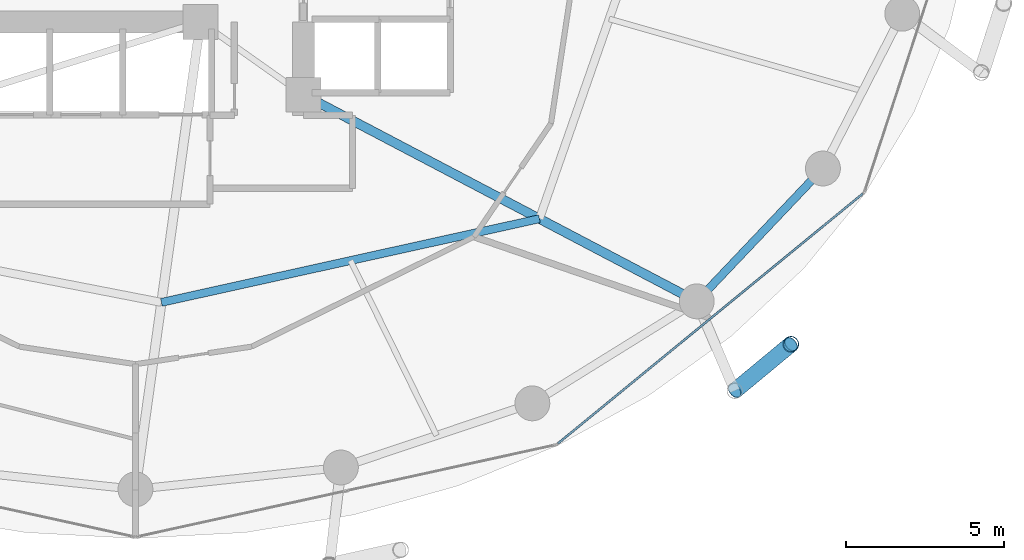
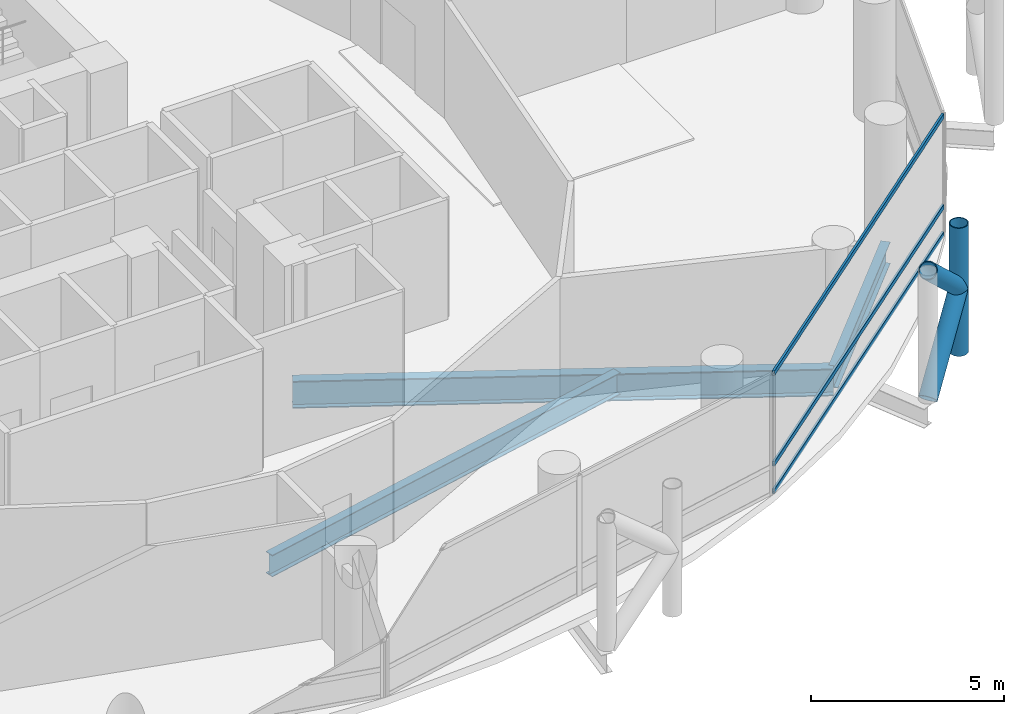
# One storey, part 9 of 24: 6 members, 3 beams, 1 element without a shape of its own.
"""IFC4 building model written with IfcOpenShell, lengths in metres."""

from ifc_helpers import new_model, si_unit, direction, frame, origin, origin_2d, place, context, subcontext, project, spatial, hollow_rectangle, hollow_circle, i_section, extrude, material, layer, layer_set, material_profile, profile_set, type_object, element, aggregate, save


model = new_model("IFC4")

# Units and contexts
model_context = context("Model", 3, precision=1e-05, world=origin(), true_north=direction((0.0, 1.0)))
body_context = subcontext(model_context, "Body", "Model", "MODEL_VIEW")
ifc_project = project(units=[si_unit("LENGTHUNIT", "METRE"), si_unit("AREAUNIT", "SQUARE_METRE"), si_unit("VOLUMEUNIT", "CUBIC_METRE"), si_unit("PLANEANGLEUNIT", "RADIAN"), si_unit("MASSUNIT", "GRAM", prefix="KILO")], contexts=[model_context])

# Site, building, storey
site_placement = place(None, origin())
site = spatial("IfcSite", under=ifc_project, at=site_placement, CompositionType="ELEMENT")
building_placement = place(site_placement, origin())
building = spatial("IfcBuilding", under=site, at=building_placement, Name="Nuhasar Tower", CompositionType="ELEMENT")
storey_placement = place(building_placement, frame((0.0, 0.0, 69.60009765625)))
storey = spatial("IfcBuildingStorey", under=building, at=storey_placement, Name="L16", CompositionType="ELEMENT", Elevation=69.60009765625)

# Beams
ifc_material_1 = material(Name="Steel S355", Category="steel")
ifc_material_profile_1 = material_profile(ifc_material_1, i_section(OverallWidth=0.25390625, OverallDepth=0.68408203125, WebThickness=0.012451171875, FlangeThickness=0.018798828125, at=origin_2d()), Name="W27X94")
ifc_profile_set_1 = profile_set([ifc_material_profile_1], Name="Steel S355")
beam_type_1 = type_object("IfcBeamType", Name="BM-INRING-W27X94", PredefinedType="BEAM", material=ifc_profile_set_1)
beam_1_placement = place(storey_placement, frame((39.820068359375, 12.449951171875, -0.592041015625), z_axis=(0.976386023343, 0.216033176665, 0.0), x_axis=(-0.216033176665, 0.976386023343, 0.0)))
element("IfcBeam", 1, at=beam_1_placement, inside=storey, type_object=beam_type_1, Name="L16 Inner Header Beam 02", PredefinedType="BEAM", context=body_context, shape_type="SweptSolid", body=[
    extrude(i_section(OverallWidth=0.25390625, OverallDepth=0.68408203125, WebThickness=0.012451171875, FlangeThickness=0.018798828125, at=origin_2d()), origin(), (0.0, 0.0, 1.0), 12.216552734375),
])
ifc_material_profile_2 = material_profile(ifc_material_1, i_section(OverallWidth=0.2919921875, OverallDepth=0.85888671875, WebThickness=0.01708984375, FlangeThickness=0.031005859375, at=origin_2d()), Name="W33X169")
ifc_profile_set_2 = profile_set([ifc_material_profile_2], Name="Steel S355")
beam_type_2 = type_object("IfcBeamType", Name="BM-POD-W33X169", PredefinedType="BEAM", material=ifc_profile_set_2)
beam_2_placement = place(storey_placement, frame((44.300048828125, 19.0, -0.68017578125), z_axis=(0.885330348705, -0.464962550816, 0.0), x_axis=(0.464962550816, 0.885330348705, 0.0)))
element("IfcBeam", 2, at=beam_2_placement, inside=storey, type_object=beam_type_2, Name="L16 Radial Floor Girder 03", PredefinedType="BEAM", context=body_context, shape_type="SweptSolid", body=[
    extrude(i_section(OverallWidth=0.2919921875, OverallDepth=0.85888671875, WebThickness=0.01708984375, FlangeThickness=0.031005859375, at=origin_2d()), origin(), (0.0, 0.0, 1.0), 14.0205078125),
])
ifc_material_profile_3 = material_profile(ifc_material_1, i_section(OverallWidth=0.256103515625, OverallDepth=0.693115234375, WebThickness=0.014404296875, FlangeThickness=0.023681640625, at=origin_2d()), Name="W27X114")
ifc_profile_set_3 = profile_set([ifc_material_profile_3], Name="Steel S355")
beam_type_3 = type_object("IfcBeamType", Name="BM-RING-W27X114", PredefinedType="SPANDREL", material=ifc_profile_set_3)
beam_3_placement = place(storey_placement, frame((56.712890625, 12.48095703125, -0.59716796875), z_axis=(0.688459812429, 0.725274490569, 0.0), x_axis=(-0.725274490569, 0.688459812429, 0.0)))
element("IfcBeam", 3, at=beam_3_placement, inside=storey, type_object=beam_type_3, Name="L16 Perimeter Ring Spandrel 22", PredefinedType="SPANDREL", context=body_context, shape_type="SweptSolid", body=[
    extrude(i_section(OverallWidth=0.256103515625, OverallDepth=0.693115234375, WebThickness=0.014404296875, FlangeThickness=0.023681640625, at=origin_2d()), origin(), (0.0, 0.0, 1.0), 5.78271484375),
])

# Curtain wall, members
ifc_material_2 = material(Name="Aluminium 6063-T6", Category="aluminium")
ifc_layer = layer(ifc_material_2, 0.199951171875)
ifc_layer_set = layer_set([ifc_layer], Name="Aluminium 6063-T6")
curtain_wall_type = type_object("IfcCurtainWallType", Name="CW-Z1-OFF", PredefinedType="NOTDEFINED", material=ifc_layer_set)
curtain_wall_placement = place(storey_placement, origin())
curtain_wall = element("IfcCurtainWall", 4, at=curtain_wall_placement, inside=storey, type_object=curtain_wall_type, Name="L16 Unitised Curtain Wall 11", PredefinedType="NOTDEFINED")
ifc_material_profile_4 = material_profile(ifc_material_2, hollow_rectangle(XDim=0.06494140625, YDim=0.14990234375, WallThickness=0.00439453125, at=origin_2d()), Name="CWT-2")
ifc_profile_set_4 = profile_set([ifc_material_profile_4], Name="Aluminium 6063-T6")
member_type_1 = type_object("IfcMemberType", Name="CW-TRN-S2", PredefinedType="USERDEFINED", material=ifc_profile_set_4)
member_1_placement = place(storey_placement, frame((52.330322265625, 7.99609375, 0.032470703125), z_axis=(0.773531229158, 0.633758185365, 0.0), x_axis=(-0.633758185365, 0.773531229158, 0.0)))
member_1 = element("IfcMember", 5, at=member_1_placement, type_object=member_type_1, Name="CW-Z1 transom 1.1", ObjectType="TRANSOM", PredefinedType="USERDEFINED", context=body_context, shape_type="SweptSolid", body=[
    extrude(hollow_rectangle(XDim=0.06494140625, YDim=0.14990234375, WallThickness=0.00439453125, at=origin_2d()), origin(), (0.0, 0.0, 1.0), 12.438232421875),
])
member_2_placement = place(storey_placement, frame((52.330322265625, 7.99609375, 0.89990234375), z_axis=(0.773531229158, 0.633758185365, 0.0), x_axis=(-0.633758185365, 0.773531229158, 0.0)))
member_2 = element("IfcMember", 6, at=member_2_placement, type_object=member_type_1, Name="CW-Z1 transom 1.2", ObjectType="TRANSOM", PredefinedType="USERDEFINED", context=body_context, shape_type="SweptSolid", body=[
    extrude(hollow_rectangle(XDim=0.06494140625, YDim=0.14990234375, WallThickness=0.00439453125, at=origin_2d()), origin(), (0.0, 0.0, 1.0), 12.438232421875),
])
member_3_placement = place(storey_placement, frame((52.330322265625, 7.99609375, 3.767333984375), z_axis=(0.773531229158, 0.633758185365, 0.0), x_axis=(-0.633758185365, 0.773531229158, 0.0)))
member_3 = element("IfcMember", 7, at=member_3_placement, type_object=member_type_1, Name="CW-Z1 transom 1.3", ObjectType="TRANSOM", PredefinedType="USERDEFINED", context=body_context, shape_type="SweptSolid", body=[
    extrude(hollow_rectangle(XDim=0.06494140625, YDim=0.14990234375, WallThickness=0.00439453125, at=origin_2d()), origin(), (0.0, 0.0, 1.0), 12.438232421875),
])
aggregate(curtain_wall, [member_1, member_2, member_3])

# Members
ifc_material_3 = material(Name="Steel S460", Category="steel")
ifc_material_profile_5 = material_profile(ifc_material_3, hollow_circle(Radius=0.25390625, WallThickness=0.025390625, at=origin_2d()), Name="HSS508X25.4")
ifc_profile_set_5 = profile_set([ifc_material_profile_5], Name="Steel S460")
member_type_2 = type_object("IfcMemberType", Name="EXO-BRONZE-508", PredefinedType="BRACE", material=ifc_profile_set_5)
member_4_placement = place(storey_placement, frame((59.68505859375, 11.12890625, 0.0), z_axis=(0.0, 0.0, 1.0), x_axis=(1.0, 0.0, 0.0)))
element("IfcMember", 8, at=member_4_placement, inside=storey, type_object=member_type_2, Name="L16 Exoskeleton Chord Column EC-11B", PredefinedType="BRACE", context=body_context, shape_type="SweptSolid", body=[
    extrude(hollow_circle(Radius=0.25390625, WallThickness=0.025390625, at=origin_2d()), origin(), (0.0, 0.0, 1.0), 4.0498046875),
])
for number, where, z_axis, x_axis, name in (
    (9, (57.9130859375, 9.660888671875, 0.0), (0.578101613167, 0.478937034992, 0.660619286251), (-0.637969333506, 0.770061769929, 0.0), "L16 Bronze Diagrid Brace W1-11"),
    (10, (59.68505859375, 11.12890625, 2.02490234375), (-0.578101613167, -0.478937034992, 0.660619286251), (0.637969333506, -0.770061769929, 0.0), "L16 Bronze Diagrid Brace W2-11"),
):
    element("IfcMember", number, at=place(storey_placement, frame(where, z_axis=z_axis, x_axis=x_axis)), inside=storey, type_object=member_type_2, Name=name, PredefinedType="BRACE", context=body_context, shape_type="SweptSolid", body=[
        extrude(hollow_circle(Radius=0.25390625, WallThickness=0.025390625, at=origin_2d()), origin(), (0.0, 0.0, 1.0), 3.065185546875),
    ])

save(model, "model.ifc")
